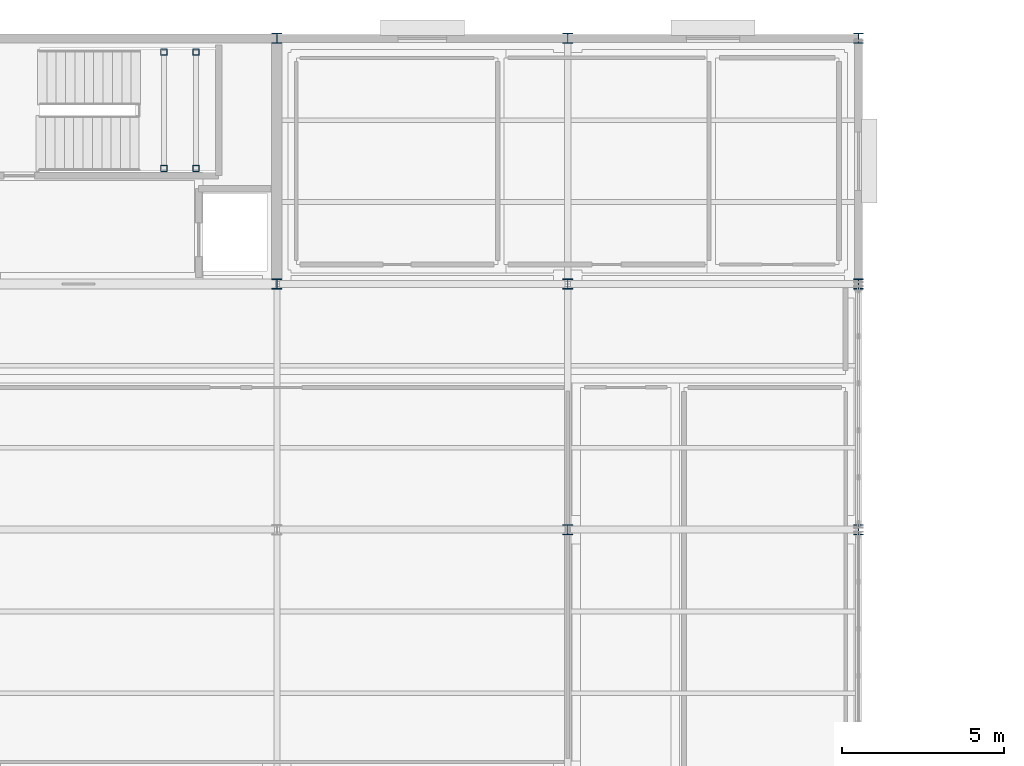
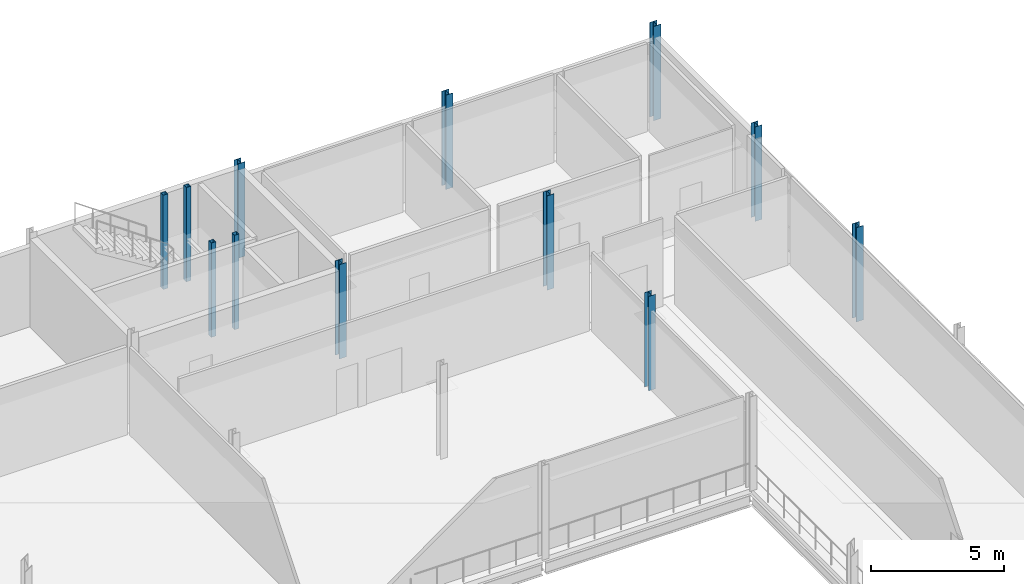
# One storey, part 24 of 166: 12 columns.
"""IFC4 building model written with IfcOpenShell, lengths in metres."""

from ifc_helpers import new_model, si_unit, direction, frame, origin, origin_2d, place, context, subcontext, project, spatial, hollow_rectangle, i_section, extrude, material, material_profile, profile_set, type_object, element, save


model = new_model("IFC4")

# Units and contexts
model_context = context("Model", 3, precision=1e-05, world=origin(), true_north=direction((0.0, 1.0)))
body_context = subcontext(model_context, "Body", "Model", "MODEL_VIEW")
ifc_project = project(units=[si_unit("LENGTHUNIT", "METRE"), si_unit("AREAUNIT", "SQUARE_METRE"), si_unit("VOLUMEUNIT", "CUBIC_METRE"), si_unit("PLANEANGLEUNIT", "RADIAN"), si_unit("MASSUNIT", "GRAM", prefix="KILO")], contexts=[model_context])

# Site, building, storey
site_placement = place(None, origin())
site = spatial("IfcSite", under=ifc_project, at=site_placement, CompositionType="ELEMENT")
building_placement = place(site_placement, origin())
building = spatial("IfcBuilding", under=site, at=building_placement, Name="Caisbarro Railhouse Central Library", CompositionType="ELEMENT")
storey_placement = place(building_placement, frame((0.0, 0.0, 9.360107421875)))
storey = spatial("IfcBuildingStorey", under=building, at=storey_placement, Name="L02", CompositionType="ELEMENT", Elevation=9.360107421875)

# Columns
ifc_material = material(Name="Steel ASTM A572 Grade 50", Category="steel")
ifc_material_profile_1 = material_profile(ifc_material, i_section(OverallWidth=0.305908203125, OverallDepth=0.31103515625, WebThickness=0.010986328125, FlangeThickness=0.01708984375, FilletRadius=0.014892578125, at=origin_2d()), Name="W310X107.0")
ifc_profile_set_1 = profile_set([ifc_material_profile_1], Name="Steel ASTM A572 Grade 50")
column_type_1 = type_object("IfcColumnType", Name="COL-C06", PredefinedType="COLUMN", material=ifc_profile_set_1)
for number, where, z_axis, x_axis, name in (
    (1, (135.0, 106.39990234375, 0.0), (0.0, 0.0, 1.0), (1.0, 0.0, 0.0), "C06 column L02 (135.0,106.4)"),
    (2, (135.0, 114.0, 0.0), (0.0, 0.0, 1.0), (1.0, 0.0, 0.0), "C06 column L02 (135.0,114.0)"),
    (3, (144.0, 98.800048828125, 0.0), (0.0, 0.0, 1.0), (1.0, 0.0, 0.0), "C06 column L02 (144.0,98.8)"),
    (4, (144.0, 106.39990234375, 0.0), (0.0, 0.0, 1.0), (1.0, 0.0, 0.0), "C06 column L02 (144.0,106.4)"),
    (5, (144.0, 114.0, 0.0), (0.0, 0.0, 1.0), (1.0, 0.0, 0.0), "C06 column L02 (144.0,114.0)"),
    (6, (153.0, 98.800048828125, 0.0), (0.0, 0.0, 1.0), (1.0, 0.0, 0.0), "C06 column L02 (153.0,98.8)"),
    (7, (153.0, 106.39990234375, 0.0), (0.0, 0.0, 1.0), (1.0, 0.0, 0.0), "C06 column L02 (153.0,106.4)"),
    (8, (153.0, 114.0, 0.0), (0.0, 0.0, 1.0), (1.0, 0.0, 0.0), "C06 column L02 (153.0,114.0)"),
):
    element("IfcColumn", number, at=place(storey_placement, frame(where, z_axis=z_axis, x_axis=x_axis)), inside=storey, type_object=column_type_1, Name=name, PredefinedType="COLUMN", context=body_context, shape_type="SweptSolid", body=[
        extrude(i_section(OverallWidth=0.305908203125, OverallDepth=0.31103515625, WebThickness=0.010986328125, FlangeThickness=0.01708984375, FilletRadius=0.014892578125, at=origin_2d()), origin(), (0.0, 0.0, 1.0), 4.31982421875),
    ])
ifc_material_profile_2 = material_profile(ifc_material, hollow_rectangle(XDim=0.199951171875, YDim=0.199951171875, WallThickness=0.012451171875, at=origin_2d()), Name="HSS200X200X12.5")
ifc_profile_set_2 = profile_set([ifc_material_profile_2], Name="Steel ASTM A572 Grade 50")
column_type_2 = type_object("IfcColumnType", Name="COL-C10", PredefinedType="COLUMN", material=ifc_profile_set_2)
for number, where, z_axis, x_axis, name in (
    (9, (131.5, 109.969970703125, 0.0), (0.0, 0.0, 1.0), (1.0, 0.0, 0.0), "C10 Stair Landing Post K3 L02.1"),
    (10, (131.5, 113.580078125, 0.0), (0.0, 0.0, 1.0), (1.0, 0.0, 0.0), "C10 Stair Landing Post K3 L02.2"),
    (11, (132.5, 109.969970703125, 0.0), (0.0, 0.0, 1.0), (1.0, 0.0, 0.0), "C10 Stair Landing Post K3 L02.3"),
    (12, (132.5, 113.580078125, 0.0), (0.0, 0.0, 1.0), (1.0, 0.0, 0.0), "C10 Stair Landing Post K3 L02.4"),
):
    element("IfcColumn", number, at=place(storey_placement, frame(where, z_axis=z_axis, x_axis=x_axis)), inside=storey, type_object=column_type_2, Name=name, PredefinedType="COLUMN", context=body_context, shape_type="SweptSolid", body=[
        extrude(hollow_rectangle(XDim=0.199951171875, YDim=0.199951171875, WallThickness=0.012451171875, at=origin_2d()), origin(), (0.0, 0.0, 1.0), 4.31982421875),
    ])

save(model, "model.ifc")
